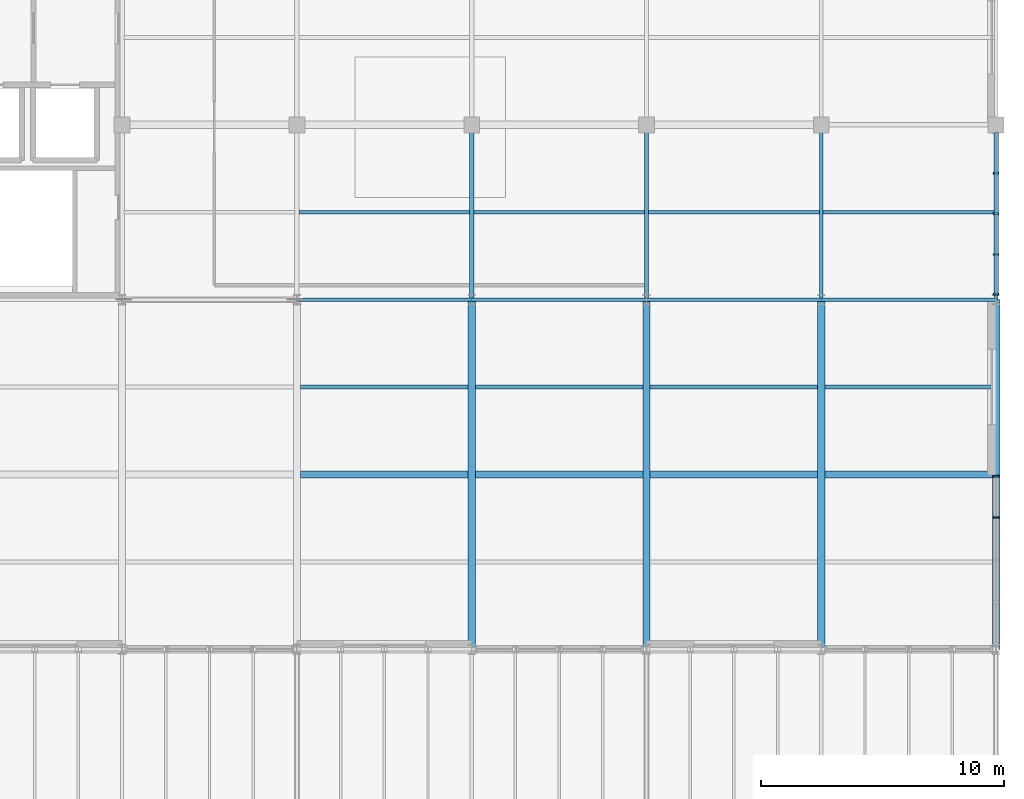
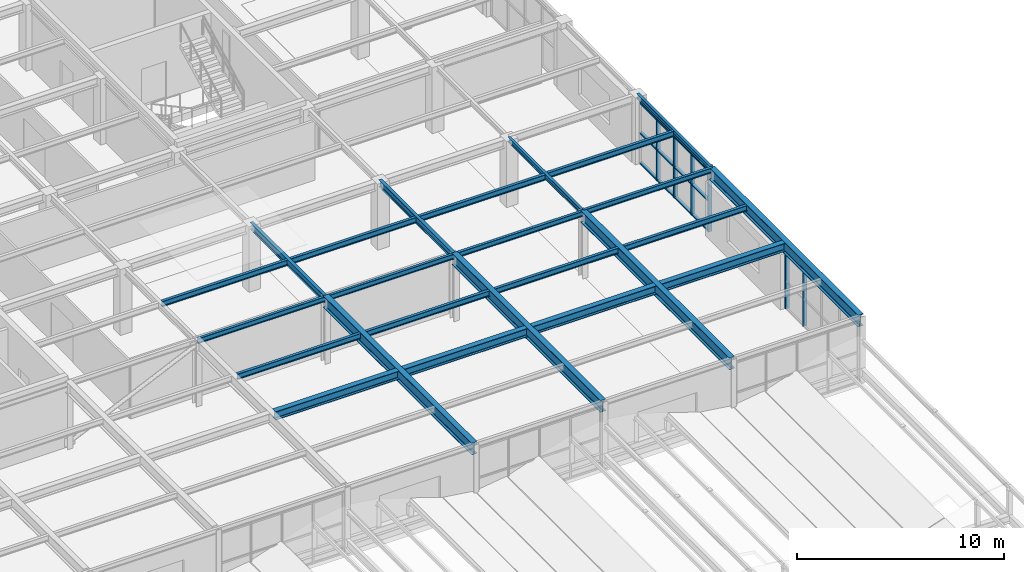
# One storey, part 38 of 83: 24 beams, 9 members, 2 elements without a shape of their own.
"""IFC4 building model written with IfcOpenShell, lengths in metres."""

from ifc_helpers import new_model, si_unit, direction, frame, origin, origin_2d, place, context, subcontext, project, spatial, rectangle, i_section, extrude, material, material_profile, profile_set, type_object, element, aggregate, save


model = new_model("IFC4")

# Units and contexts
model_context = context("Model", 3, precision=1e-05, world=origin(), true_north=direction((0.0, 1.0)))
body_context = subcontext(model_context, "Body", "Model", "MODEL_VIEW")
ifc_project = project(units=[si_unit("LENGTHUNIT", "METRE"), si_unit("AREAUNIT", "SQUARE_METRE"), si_unit("VOLUMEUNIT", "CUBIC_METRE"), si_unit("PLANEANGLEUNIT", "RADIAN"), si_unit("MASSUNIT", "GRAM", prefix="KILO")], contexts=[model_context])

# Site, building, storey
site_placement = place(None, origin())
site = spatial("IfcSite", under=ifc_project, at=site_placement, CompositionType="ELEMENT")
building_placement = place(site_placement, origin())
building = spatial("IfcBuilding", under=site, at=building_placement, Name="Leyfeld Transit Interchange", CompositionType="ELEMENT")
storey_placement = place(building_placement, frame((0.0, 0.0, 5.39990234375)))
storey = spatial("IfcBuildingStorey", under=building, at=storey_placement, Name="L01", CompositionType="ELEMENT", Elevation=5.39990234375)

# Beams
ifc_material_1 = material(Name="Steel S355J2", Category="steel")
ifc_material_profile_1 = material_profile(ifc_material_1, i_section(OverallWidth=0.300048828125, OverallDepth=0.5, WebThickness=0.014404296875, FlangeThickness=0.028076171875, FilletRadius=0.027099609375, at=origin_2d()), Name="HEB 500")
ifc_profile_set_1 = profile_set([ifc_material_profile_1], Name="Steel S355J2")
beam_type_1 = type_object("IfcBeamType", Name="BM-STL-HEB500", PredefinedType="JOIST", material=ifc_profile_set_1)
beam_1_placement = place(storey_placement, frame((158.547119140625, 50.39990234375, 3.7001953125), z_axis=(1.0, 0.0, 0.0), x_axis=(0.0, 1.0, 0.0)))
element("IfcBeam", 1, at=beam_1_placement, inside=storey, type_object=beam_type_1, Name="Beam BM-L01-1585_0504-1655_0504", PredefinedType="JOIST", context=body_context, shape_type="SweptSolid", body=[
    extrude(i_section(OverallWidth=0.300048828125, OverallDepth=0.5, WebThickness=0.014404296875, FlangeThickness=0.028076171875, FilletRadius=0.027099609375, at=origin_2d()), origin(), (0.0, 0.0, 1.0), 6.90576171875),
])
for number, where, z_axis, x_axis, name in (
    (2, (165.7470703125, 50.39990234375, 3.7001953125), (1.0, 0.0, 0.0), (0.0, 1.0, 0.0), "Beam BM-L01-1657_0504-1727_0504"),
    (3, (172.947021484375, 50.39990234375, 3.7001953125), (1.0, 0.0, 0.0), (0.0, 1.0, 0.0), "Beam BM-L01-1729_0504-1799_0504"),
    (4, (180.14697265625, 50.39990234375, 3.7001953125), (1.0, 0.0, 0.0), (0.0, 1.0, 0.0), "Beam BM-L01-1801_0504-1871_0504"),
):
    element("IfcBeam", number, at=place(storey_placement, frame(where, z_axis=z_axis, x_axis=x_axis)), inside=storey, type_object=beam_type_1, Name=name, PredefinedType="JOIST", context=body_context, shape_type="SweptSolid", body=[
        extrude(i_section(OverallWidth=0.300048828125, OverallDepth=0.5, WebThickness=0.014404296875, FlangeThickness=0.028076171875, FilletRadius=0.027099609375, at=origin_2d()), origin(), (0.0, 0.0, 1.0), 6.906005859375),
    ])
ifc_material_profile_2 = material_profile(ifc_material_1, i_section(OverallWidth=0.300048828125, OverallDepth=0.699951171875, WebThickness=0.01708984375, FlangeThickness=0.031982421875, FilletRadius=0.027099609375, at=origin_2d()), Name="HEB 700")
ifc_profile_set_2 = profile_set([ifc_material_profile_2], Name="Steel S355J2")
beam_type_2 = type_object("IfcBeamType", Name="BM-STL-HEB700", PredefinedType="JOIST", material=ifc_profile_set_2)
for number, where, z_axis, x_axis, name in (
    (5, (165.60009765625, 43.199951171875, 3.60009765625), (0.0, 1.0, 0.0), (-1.0, 0.0, 0.0), "Beam BM-L01-1656_0432-1656_0576"),
    (6, (172.800048828125, 43.199951171875, 3.60009765625), (0.0, 1.0, 0.0), (-1.0, 0.0, 0.0), "Beam BM-L01-1728_0432-1728_0576"),
    (7, (180.0, 43.199951171875, 3.60009765625), (0.0, 1.0, 0.0), (-1.0, 0.0, 0.0), "Beam BM-L01-1800_0432-1800_0576"),
    (8, (187.199951171875, 43.199951171875, 3.60009765625), (0.0, 1.0, 0.0), (-1.0, 0.0, 0.0), "Beam BM-L01-1872_0432-1872_0576"),
):
    element("IfcBeam", number, at=place(storey_placement, frame(where, z_axis=z_axis, x_axis=x_axis)), inside=storey, type_object=beam_type_2, Name=name, PredefinedType="JOIST", context=body_context, shape_type="SweptSolid", body=[
        extrude(i_section(OverallWidth=0.300048828125, OverallDepth=0.699951171875, WebThickness=0.01708984375, FlangeThickness=0.031982421875, FilletRadius=0.027099609375, at=origin_2d()), origin(), (0.0, 0.0, 1.0), 14.400146484375),
    ])
ifc_material_profile_3 = material_profile(ifc_material_1, i_section(OverallWidth=0.14990234375, OverallDepth=0.300048828125, WebThickness=0.007080078125, FlangeThickness=0.0107421875, FilletRadius=0.014892578125, at=origin_2d()), Name="IPE 300")
ifc_profile_set_3 = profile_set([ifc_material_profile_3], Name="Steel S355J2")
beam_type_3 = type_object("IfcBeamType", Name="BM-STL-IPE300", PredefinedType="SPANDREL", material=ifc_profile_set_3)
beam_2_placement = place(storey_placement, frame((180.0, 57.60009765625, 3.75), z_axis=(0.0, 1.0, 0.0), x_axis=(-1.0, 0.0, 0.0)))
element("IfcBeam", 9, at=beam_2_placement, inside=storey, type_object=beam_type_3, Name="Beam BM-L01-1800_0576-1800_0648", PredefinedType="SPANDREL", context=body_context, shape_type="SweptSolid", body=[
    extrude(i_section(OverallWidth=0.14990234375, OverallDepth=0.300048828125, WebThickness=0.007080078125, FlangeThickness=0.0107421875, FilletRadius=0.014892578125, at=origin_2d()), origin(), (0.0, 0.0, 1.0), 7.199951171875),
])
beam_3_placement = place(storey_placement, frame((158.39990234375, 57.60009765625, 3.75), z_axis=(1.0, 0.0, 0.0), x_axis=(0.0, 1.0, 0.0)))
element("IfcBeam", 10, at=beam_3_placement, inside=storey, type_object=beam_type_3, Name="Beam BM-L01-1584_0576-1656_0576", PredefinedType="SPANDREL", context=body_context, shape_type="SweptSolid", body=[
    extrude(i_section(OverallWidth=0.14990234375, OverallDepth=0.300048828125, WebThickness=0.007080078125, FlangeThickness=0.0107421875, FilletRadius=0.014892578125, at=origin_2d()), origin(), (0.0, 0.0, 1.0), 7.2001953125),
])
for number, where, z_axis, x_axis, name in (
    (11, (165.60009765625, 57.60009765625, 3.75), (1.0, 0.0, 0.0), (0.0, 1.0, 0.0), "Beam BM-L01-1656_0576-1728_0576"),
    (12, (172.800048828125, 57.60009765625, 3.75), (1.0, 0.0, 0.0), (0.0, 1.0, 0.0), "Beam BM-L01-1728_0576-1800_0576"),
    (13, (180.0, 57.60009765625, 3.800048828125), (1.0, 0.0, 0.0), (0.0, 1.0, 0.0), "Beam BM-L01-1800_0576-1872_0576"),
    (14, (187.199951171875, 57.60009765625, 3.800048828125), (0.0, 1.0, 0.0), (-1.0, 0.0, 0.0), "Beam BM-L01-1872_0576-1872_0648"),
):
    element("IfcBeam", number, at=place(storey_placement, frame(where, z_axis=z_axis, x_axis=x_axis)), inside=storey, type_object=beam_type_3, Name=name, PredefinedType="SPANDREL", context=body_context, shape_type="SweptSolid", body=[
        extrude(i_section(OverallWidth=0.14990234375, OverallDepth=0.300048828125, WebThickness=0.007080078125, FlangeThickness=0.0107421875, FilletRadius=0.014892578125, at=origin_2d()), origin(), (0.0, 0.0, 1.0), 7.199951171875),
    ])
ifc_material_profile_4 = material_profile(ifc_material_1, i_section(OverallWidth=0.159912109375, OverallDepth=0.330078125, WebThickness=0.007568359375, FlangeThickness=0.011474609375, FilletRadius=0.01806640625, at=origin_2d()), Name="IPE 330")
ifc_profile_set_4 = profile_set([ifc_material_profile_4], Name="Steel S355J2")
beam_type_4 = type_object("IfcBeamType", Name="BM-STL-IPE330", PredefinedType="BEAM", material=ifc_profile_set_4)
for number, where, z_axis, x_axis, name in (
    (15, (158.487060546875, 61.199951171875, 3.735107421875), (1.0, 0.0, 0.0), (0.0, 1.0, 0.0), "Beam BM-L01-1585_0612-1655_0612"),
    (16, (165.68701171875, 61.199951171875, 3.735107421875), (1.0, 0.0, 0.0), (0.0, 1.0, 0.0), "Beam BM-L01-1657_0612-1727_0612"),
):
    element("IfcBeam", number, at=place(storey_placement, frame(where, z_axis=z_axis, x_axis=x_axis)), inside=storey, type_object=beam_type_4, Name=name, PredefinedType="BEAM", context=body_context, shape_type="SweptSolid", body=[
        extrude(i_section(OverallWidth=0.159912109375, OverallDepth=0.330078125, WebThickness=0.007568359375, FlangeThickness=0.011474609375, FilletRadius=0.01806640625, at=origin_2d()), origin(), (0.0, 0.0, 1.0), 7.02587890625),
    ])
beam_4_placement = place(storey_placement, frame((172.886962890625, 61.199951171875, 3.735107421875), z_axis=(1.0, 0.0, 0.0), x_axis=(0.0, 1.0, 0.0)))
element("IfcBeam", 17, at=beam_4_placement, inside=storey, type_object=beam_type_4, Name="Beam BM-L01-1729_0612-1799_0612", PredefinedType="BEAM", context=body_context, shape_type="SweptSolid", body=[
    extrude(i_section(OverallWidth=0.159912109375, OverallDepth=0.330078125, WebThickness=0.007568359375, FlangeThickness=0.011474609375, FilletRadius=0.01806640625, at=origin_2d()), origin(), (0.0, 0.0, 1.0), 7.041015625),
])
beam_5_placement = place(storey_placement, frame((158.547119140625, 54.0, 3.78515625), z_axis=(1.0, 0.0, 0.0), x_axis=(0.0, 1.0, 0.0)))
element("IfcBeam", 18, at=beam_5_placement, inside=storey, type_object=beam_type_4, Name="Beam BM-L01-1585_0540-1655_0540", PredefinedType="BEAM", context=body_context, shape_type="SweptSolid", body=[
    extrude(i_section(OverallWidth=0.159912109375, OverallDepth=0.330078125, WebThickness=0.007568359375, FlangeThickness=0.011474609375, FilletRadius=0.01806640625, at=origin_2d()), origin(), (0.0, 0.0, 1.0), 6.90576171875),
])
for number, where, z_axis, x_axis, name in (
    (19, (165.7470703125, 54.0, 3.78515625), (1.0, 0.0, 0.0), (0.0, 1.0, 0.0), "Beam BM-L01-1657_0540-1727_0540"),
    (20, (172.947021484375, 54.0, 3.78515625), (1.0, 0.0, 0.0), (0.0, 1.0, 0.0), "Beam BM-L01-1729_0540-1799_0540"),
    (21, (180.14697265625, 54.0, 3.78515625), (1.0, 0.0, 0.0), (0.0, 1.0, 0.0), "Beam BM-L01-1801_0540-1871_0540"),
):
    element("IfcBeam", number, at=place(storey_placement, frame(where, z_axis=z_axis, x_axis=x_axis)), inside=storey, type_object=beam_type_4, Name=name, PredefinedType="BEAM", context=body_context, shape_type="SweptSolid", body=[
        extrude(i_section(OverallWidth=0.159912109375, OverallDepth=0.330078125, WebThickness=0.007568359375, FlangeThickness=0.011474609375, FilletRadius=0.01806640625, at=origin_2d()), origin(), (0.0, 0.0, 1.0), 6.906005859375),
    ])
beam_6_placement = place(storey_placement, frame((180.072021484375, 61.199951171875, 3.78515625), z_axis=(1.0, 0.0, 0.0), x_axis=(0.0, 1.0, 0.0)))
element("IfcBeam", 22, at=beam_6_placement, inside=storey, type_object=beam_type_4, Name="Beam BM-L01-1801_0612-1871_0612", PredefinedType="BEAM", context=body_context, shape_type="SweptSolid", body=[
    extrude(i_section(OverallWidth=0.159912109375, OverallDepth=0.330078125, WebThickness=0.007568359375, FlangeThickness=0.011474609375, FilletRadius=0.01806640625, at=origin_2d()), origin(), (0.0, 0.0, 1.0), 7.055908203125),
])
ifc_material_profile_5 = material_profile(ifc_material_1, i_section(OverallWidth=0.179931640625, OverallDepth=0.39990234375, WebThickness=0.008544921875, FlangeThickness=0.013427734375, FilletRadius=0.02099609375, at=origin_2d()), Name="IPE 400")
ifc_profile_set_5 = profile_set([ifc_material_profile_5], Name="Steel S355J2")
beam_type_5 = type_object("IfcBeamType", Name="BM-STL-IPE400", PredefinedType="BEAM", material=ifc_profile_set_5)
for number, where, z_axis, x_axis, name in (
    (23, (165.60009765625, 57.60009765625, 3.7001953125), (0.0, 1.0, 0.0), (-1.0, 0.0, 0.0), "Beam BM-L01-1656_0576-1656_0648"),
    (24, (172.800048828125, 57.60009765625, 3.7001953125), (0.0, 1.0, 0.0), (-1.0, 0.0, 0.0), "Beam BM-L01-1728_0576-1728_0648"),
):
    element("IfcBeam", number, at=place(storey_placement, frame(where, z_axis=z_axis, x_axis=x_axis)), inside=storey, type_object=beam_type_5, Name=name, PredefinedType="BEAM", context=body_context, shape_type="SweptSolid", body=[
        extrude(i_section(OverallWidth=0.179931640625, OverallDepth=0.39990234375, WebThickness=0.008544921875, FlangeThickness=0.013427734375, FilletRadius=0.02099609375, at=origin_2d()), origin(), (0.0, 0.0, 1.0), 7.199951171875),
    ])

# Curtain wall, members
ifc_material_2 = material(Name="Anodised aluminium EN AW-6060 T66", Category="aluminium")
curtain_wall_type = type_object("IfcCurtainWallType", Name="CW-SYS-BUS-7200", PredefinedType="NOTDEFINED", material=ifc_material_2)
curtain_wall_1_placement = place(storey_placement, origin())
curtain_wall_1 = element("IfcCurtainWall", 25, at=curtain_wall_1_placement, inside=storey, type_object=curtain_wall_type, Name="Curtain Wall CW-L01-094", PredefinedType="NOTDEFINED")
ifc_material_profile_6 = material_profile(ifc_material_2, rectangle(XDim=0.074951171875, YDim=0.219970703125, at=origin_2d()), Name="CW-M 75x220")
ifc_profile_set_6 = profile_set([ifc_material_profile_6], Name="Anodised aluminium EN AW-6060 T66")
member_type_1 = type_object("IfcMemberType", Name="CW-MUL-180x70", PredefinedType="MULLION", material=ifc_profile_set_6)
member_1_placement = place(storey_placement, frame((187.199951171875, 62.811279296875, 0.0), z_axis=(0.0, 0.0, 1.0), x_axis=(0.0, -1.0, 0.0)))
member_1 = element("IfcMember", 26, at=member_1_placement, type_object=member_type_1, Name="Curtain Mullion CW-L01-094-M02", PredefinedType="MULLION", context=body_context, shape_type="SweptSolid", body=[
    extrude(rectangle(XDim=0.074951171875, YDim=0.219970703125, at=origin_2d()), origin(), (0.0, 0.0, 1.0), 3.6201171875),
])
member_2_placement = place(storey_placement, frame((187.199951171875, 61.137451171875, 0.0), z_axis=(0.0, 0.0, 1.0), x_axis=(0.0, -1.0, 0.0)))
member_2 = element("IfcMember", 27, at=member_2_placement, type_object=member_type_1, Name="Curtain Mullion CW-L01-094-M03", PredefinedType="MULLION", context=body_context, shape_type="SweptSolid", body=[
    extrude(rectangle(XDim=0.074951171875, YDim=0.219970703125, at=origin_2d()), origin(), (0.0, 0.0, 1.0), 3.6201171875),
])
member_3_placement = place(storey_placement, frame((187.199951171875, 59.463623046875, 0.0), z_axis=(0.0, 0.0, 1.0), x_axis=(0.0, -1.0, 0.0)))
member_3 = element("IfcMember", 28, at=member_3_placement, type_object=member_type_1, Name="Curtain Mullion CW-L01-094-M04", PredefinedType="MULLION", context=body_context, shape_type="SweptSolid", body=[
    extrude(rectangle(XDim=0.074951171875, YDim=0.219970703125, at=origin_2d()), origin(), (0.0, 0.0, 1.0), 3.6201171875),
])
member_4_placement = place(storey_placement, frame((187.199951171875, 57.827392578125, 0.0), z_axis=(0.0, 0.0, 1.0), x_axis=(0.0, -1.0, 0.0)))
member_4 = element("IfcMember", 29, at=member_4_placement, type_object=member_type_1, Name="Curtain Mullion CW-L01-094-M05", PredefinedType="MULLION", context=body_context, shape_type="SweptSolid", body=[
    extrude(rectangle(XDim=0.074951171875, YDim=0.219970703125, at=origin_2d()), origin(), (0.0, 0.0, 1.0), 3.6201171875),
])

curtain_wall_2_placement = place(storey_placement, origin())
curtain_wall_2 = element("IfcCurtainWall", 30, at=curtain_wall_2_placement, inside=storey, type_object=curtain_wall_type, Name="Curtain Wall CW-L01-095", PredefinedType="NOTDEFINED")
member_5_placement = place(storey_placement, frame((187.199951171875, 50.33251953125, 0.0), z_axis=(0.0, 0.0, 1.0), x_axis=(0.0, -1.0, 0.0)))
member_5 = element("IfcMember", 31, at=member_5_placement, type_object=member_type_1, Name="Curtain Mullion CW-L01-095-M01", PredefinedType="MULLION", context=body_context, shape_type="SweptSolid", body=[
    extrude(rectangle(XDim=0.074951171875, YDim=0.219970703125, at=origin_2d()), origin(), (0.0, 0.0, 1.0), 3.25),
])
member_6_placement = place(storey_placement, frame((187.199951171875, 48.625, 0.0), z_axis=(0.0, 0.0, 1.0), x_axis=(0.0, -1.0, 0.0)))
member_6 = element("IfcMember", 32, at=member_6_placement, type_object=member_type_1, Name="Curtain Mullion CW-L01-095-M02", PredefinedType="MULLION", context=body_context, shape_type="SweptSolid", body=[
    extrude(rectangle(XDim=0.074951171875, YDim=0.219970703125, at=origin_2d()), origin(), (0.0, 0.0, 1.0), 3.25),
])
aggregate(curtain_wall_2, [member_5, member_6])

# Member
ifc_material_profile_7 = material_profile(ifc_material_2, rectangle(XDim=0.179931640625, YDim=0.074951171875, at=origin_2d()), Name="CW-TRN-160x70")
ifc_profile_set_7 = profile_set([ifc_material_profile_7], Name="Anodised aluminium EN AW-6060 T66")
member_type_2 = type_object("IfcMemberType", Name="CW-TRN-160x70", PredefinedType="USERDEFINED", material=ifc_profile_set_7)
member_7_placement = place(storey_placement, frame((187.199951171875, 64.485107421875, 0.03759765625), z_axis=(0.0, -1.0, 0.0), x_axis=(1.0, 0.0, 0.0)))
member_7 = element("IfcMember", 33, at=member_7_placement, type_object=member_type_2, Name="Curtain Transom CW-L01-094-T01", ObjectType="TRANSOM", PredefinedType="USERDEFINED", context=body_context, shape_type="SweptSolid", body=[
    extrude(rectangle(XDim=0.179931640625, YDim=0.074951171875, at=origin_2d()), origin(), (0.0, 0.0, 1.0), 6.695068359375),
])

member_8_placement = place(storey_placement, frame((187.199951171875, 64.485107421875, 1.81005859375), z_axis=(0.0, -1.0, 0.0), x_axis=(1.0, 0.0, 0.0)))
member_8 = element("IfcMember", 34, at=member_8_placement, type_object=member_type_2, Name="Curtain Transom CW-L01-094-T02", ObjectType="TRANSOM", PredefinedType="USERDEFINED", context=body_context, shape_type="SweptSolid", body=[
    extrude(rectangle(XDim=0.179931640625, YDim=0.074951171875, at=origin_2d()), origin(), (0.0, 0.0, 1.0), 6.695068359375),
])

member_9_placement = place(storey_placement, frame((187.199951171875, 64.485107421875, 3.58251953125), z_axis=(0.0, -1.0, 0.0), x_axis=(1.0, 0.0, 0.0)))
member_9 = element("IfcMember", 35, at=member_9_placement, type_object=member_type_2, Name="Curtain Transom CW-L01-094-T03", ObjectType="TRANSOM", PredefinedType="USERDEFINED", context=body_context, shape_type="SweptSolid", body=[
    extrude(rectangle(XDim=0.179931640625, YDim=0.074951171875, at=origin_2d()), origin(), (0.0, 0.0, 1.0), 6.695068359375),
])

aggregate(curtain_wall_1, [member_1, member_2, member_3, member_4, member_7, member_8, member_9])

save(model, "model.ifc")
